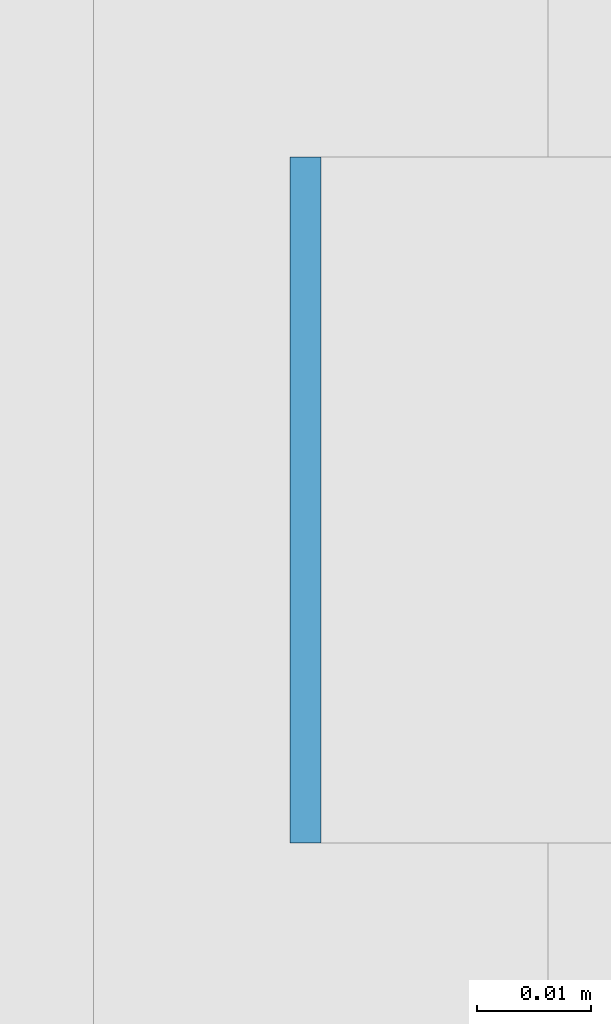
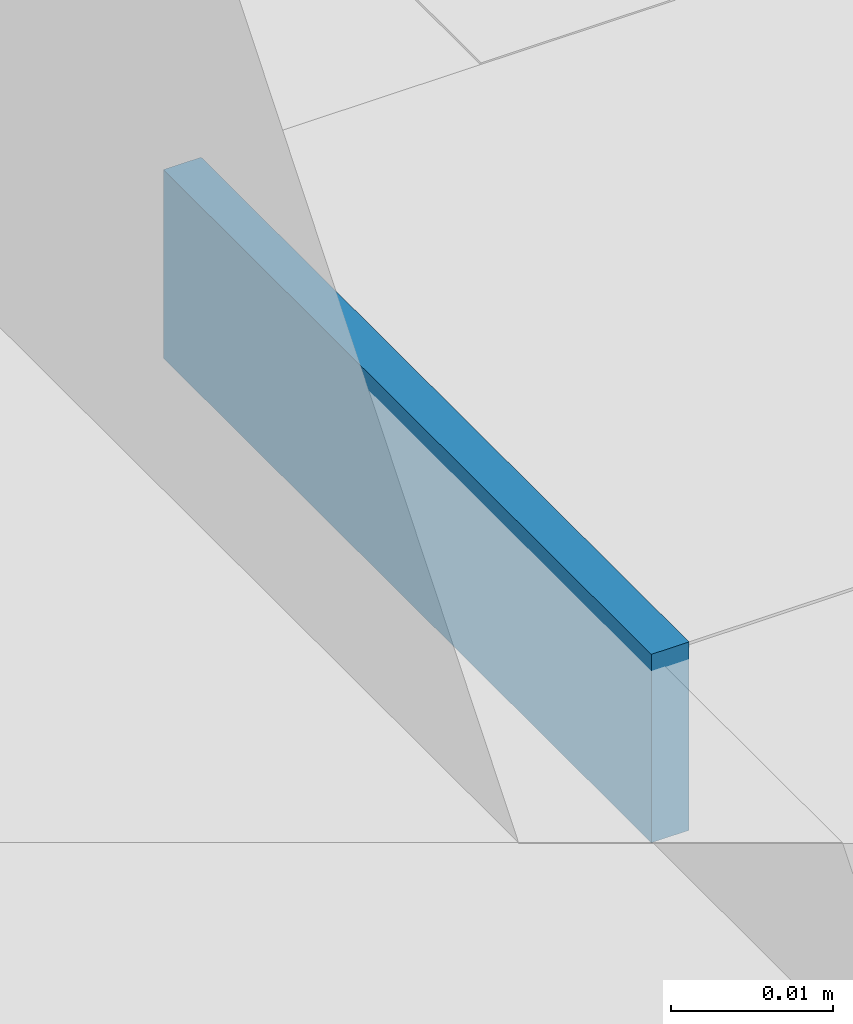
# One storey, part 451 of 646: 1 discrete accessory.
"""IFC4 building model written with IfcOpenShell, lengths in metres."""

from ifc_helpers import new_model, si_unit, direction, frame, origin, origin_2d, place, context, subcontext, project, spatial, rectangle, extrude, material, type_object, element, save


model = new_model("IFC4")

# Units and contexts
model_context = context("Model", 3, precision=1e-05, world=origin(), true_north=direction((0.0, 1.0)))
body_context = subcontext(model_context, "Body", "Model", "MODEL_VIEW")
ifc_project = project(units=[si_unit("LENGTHUNIT", "METRE"), si_unit("AREAUNIT", "SQUARE_METRE"), si_unit("VOLUMEUNIT", "CUBIC_METRE"), si_unit("PLANEANGLEUNIT", "RADIAN"), si_unit("MASSUNIT", "GRAM", prefix="KILO")], contexts=[model_context])

# Site, building, storey
site_placement = place(None, origin())
site = spatial("IfcSite", under=ifc_project, at=site_placement, CompositionType="ELEMENT")
building_placement = place(site_placement, origin())
building = spatial("IfcBuilding", under=site, at=building_placement, Name="Silverbay Arena", CompositionType="ELEMENT")
storey_placement = place(building_placement, frame((0.0, 0.0, 33.5)))
storey = spatial("IfcBuildingStorey", under=building, at=storey_placement, Name="L05", CompositionType="ELEMENT", Elevation=33.5)

# Discrete accessory
ifc_material = material(Name="Steel S355", Category="steel")
discrete_accessory_type = type_object("IfcDiscreteAccessoryType", Name="Steel bracket plate", PredefinedType="BRACKET", material=ifc_material)
discrete_accessory_placement = place(storey_placement, frame((207.128662109375, 39.857177734375, 12.98583984375), z_axis=(0.0, 0.0, 1.0), x_axis=(1.0, 0.0, 0.0)))
element("IfcDiscreteAccessory", 1, at=discrete_accessory_placement, inside=storey, type_object=discrete_accessory_type, Name="Curtain wall packing plate", PredefinedType="BRACKET", context=body_context, shape_type="SweptSolid", body=[
    extrude(rectangle(XDim=0.002685546875, YDim=0.06005859375, at=origin_2d()), origin(), (0.0, 0.0, 1.0), 0.01416015625),
])

save(model, "model.ifc")
